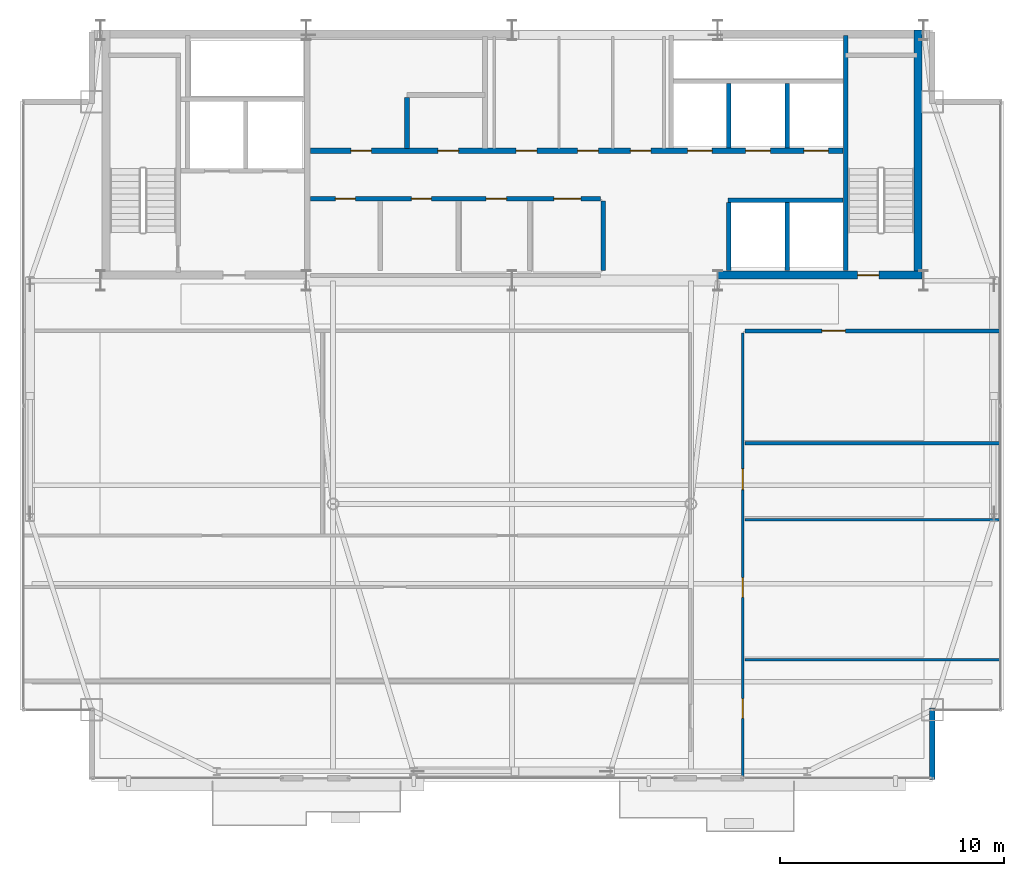
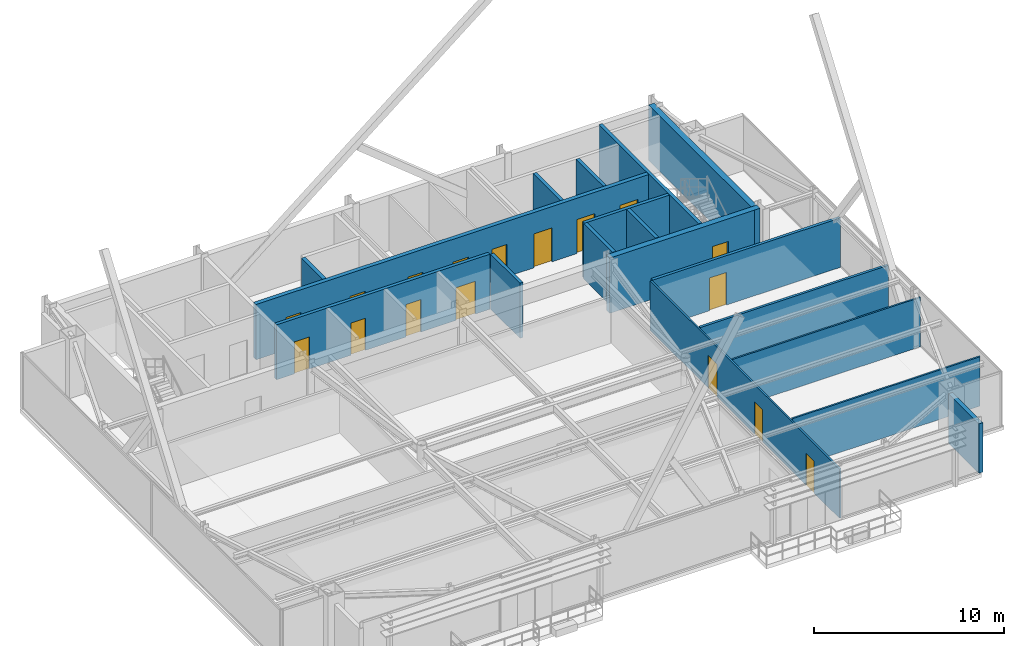
# One storey, part 22 of 25: 18 walls, 17 doors, 17 openings.
"""IFC4 building model written with IfcOpenShell, lengths in metres."""

from ifc_helpers import new_model, si_unit, direction, frame, frame_2d, origin, place, context, subcontext, project, spatial, rectangle, extrude, source, transform, mapped, material, layer, layer_set, type_object, type_shapes, element, fill, save


model = new_model("IFC4")

# Units and contexts
model_context = context("Model", 3, precision=1e-05, world=origin(), true_north=direction((0.0, 1.0)))
body_context = subcontext(model_context, "Body", "Model", "MODEL_VIEW")
ifc_project = project(units=[si_unit("LENGTHUNIT", "METRE"), si_unit("AREAUNIT", "SQUARE_METRE"), si_unit("VOLUMEUNIT", "CUBIC_METRE"), si_unit("PLANEANGLEUNIT", "RADIAN"), si_unit("MASSUNIT", "GRAM", prefix="KILO")], contexts=[model_context])

# Site, building, storey
site_placement = place(None, origin())
site = spatial("IfcSite", under=ifc_project, at=site_placement, CompositionType="ELEMENT")
building_placement = place(site_placement, origin())
building = spatial("IfcBuilding", under=site, at=building_placement, Name="Varnel Quay Broadcast Tower", CompositionType="ELEMENT")
storey_placement = place(building_placement, frame((0.0, 0.0, 273.60009765625)))
storey = spatial("IfcBuildingStorey", under=building, at=storey_placement, Name="L68", CompositionType="ELEMENT", Elevation=273.60009765625)

# Walls
ifc_material_1 = material(Name="Concrete CSA A23.3 C50/60", Category="concrete")
ifc_layer_1 = layer(ifc_material_1, 0.199951171875, Name="Concrete CSA A23.3 C50/60")
ifc_layer_set_1 = layer_set([ifc_layer_1], Name="Concrete CSA A23.3 C50/60")
wall_type_1 = type_object("IfcWallType", Name="Wall_CoreShaftShear200", PredefinedType="SHEAR", material=ifc_layer_set_1)
wall_1_placement = place(storey_placement, frame((48.919921875, 36.050048828125, 0.0), z_axis=(0.0, 0.0, 1.0), x_axis=(0.0, 1.0, 0.0)))
element("IfcWall", 1, at=wall_1_placement, inside=storey, type_object=wall_type_1, Name="L68 Stair 2 West Structural Wall", PredefinedType="SHEAR", context=body_context, shape_type="SweptSolid", body=[
    extrude(rectangle(XDim=10.5, YDim=0.199951171875, at=frame_2d((5.25, 0.0))), origin(), (0.0, 0.0, 1.0), 3.5498046875),
])
for number, where, z_axis, x_axis, name in (
    (2, (43.699951171875, 41.530029296875, 0.0), (0.0, 0.0, 1.0), (0.0, 1.0, 0.0), "L68 High-Rise Lift Shaft Divider 2"),
    (3, (46.300048828125, 41.530029296875, 0.0), (0.0, 0.0, 1.0), (0.0, 1.0, 0.0), "L68 High-Rise Lift Shaft Divider 3"),
):
    element("IfcWall", number, at=place(storey_placement, frame(where, z_axis=z_axis, x_axis=x_axis)), inside=storey, type_object=wall_type_1, Name=name, PredefinedType="SHEAR", context=body_context, shape_type="SweptSolid", body=[
        extrude(rectangle(XDim=2.869873046875, YDim=0.199951171875, at=frame_2d((1.43505859375, 0.0))), origin(), (0.0, 0.0, 1.0), 3.5498046875),
    ])
for number, where, z_axis, x_axis, name in (
    (4, (43.699951171875, 36.050048828125, 0.0), (0.0, 0.0, 1.0), (0.0, 1.0, 0.0), "L68 Express Lift Shaft West Wall"),
    (5, (46.300048828125, 36.050048828125, 0.0), (0.0, 0.0, 1.0), (0.0, 1.0, 0.0), "L68 Express Lift Shaft Divider"),
):
    element("IfcWall", number, at=place(storey_placement, frame(where, z_axis=z_axis, x_axis=x_axis)), inside=storey, type_object=wall_type_1, Name=name, PredefinedType="SHEAR", context=body_context, shape_type="SweptSolid", body=[
        extrude(rectangle(XDim=3.050048828125, YDim=0.199951171875, at=frame_2d((1.52490234375, 0.0))), origin(), (0.0, 0.0, 1.0), 3.5498046875),
    ])
wall_2_placement = place(storey_placement, frame((43.64990234375, 39.199951171875, 0.0), z_axis=(0.0, 0.0, 1.0), x_axis=(1.0, 0.0, 0.0)))
element("IfcWall", 6, at=wall_2_placement, inside=storey, type_object=wall_type_1, Name="L68 Express Lift Shaft North Front Wall", PredefinedType="SHEAR", context=body_context, shape_type="SweptSolid", body=[
    extrude(rectangle(XDim=5.150146484375, YDim=0.199951171875, at=frame_2d((2.5751953125, 0.0))), origin(), (0.0, 0.0, 1.0), 3.5498046875),
])

# Wall, openings, doors
ifc_layer_2 = layer(ifc_material_1, 0.25, Name="Concrete CSA A23.3 C50/60")
ifc_layer_set_2 = layer_set([ifc_layer_2], Name="Concrete CSA A23.3 C50/60")
wall_type_2 = type_object("IfcWallType", Name="Wall_CoreShaftShear250", PredefinedType="SHEAR", material=ifc_layer_set_2)
wall_3_placement = place(storey_placement, frame((24.97998046875, 41.39990234375, 0.0), z_axis=(0.0, 0.0, 1.0), x_axis=(1.0, 0.0, 0.0)))
wall_3 = element("IfcWall", 7, at=wall_3_placement, inside=storey, type_object=wall_type_2, Name="L68 North Lift Bank & Reclaimed Suite Wall", PredefinedType="SHEAR", context=body_context, shape_type="SweptSolid", body=[
    extrude(rectangle(XDim=23.820068359375, YDim=0.25, at=frame_2d((11.91015625, 0.0))), origin(), (0.0, 0.0, 1.0), 3.5498046875),
])
opening_1_placement = place(wall_3_placement, frame((16.8701171875, 0.0, 0.0)))
opening_1 = element("IfcOpeningElement", 8, at=opening_1_placement, cuts=wall_3, Name="Opening LD-L68-PH-01", PredefinedType="OPENING", context=body_context, shape_type="SweptSolid", body=[
    extrude(rectangle(XDim=1.10009765625, YDim=2.179931640625, at=frame_2d((0.550048828125, 1.08984375))), frame((0.0, 0.135009765625, 0.0), z_axis=(0.0, -1.0, 0.0), x_axis=(1.0, 0.0, 0.0)), (0.0, 0.0, 1.0), 0.27001953125),
])
opening_2_placement = place(wall_3_placement, frame((19.469970703125, 0.0, 0.0)))
opening_2 = element("IfcOpeningElement", 9, at=opening_2_placement, cuts=wall_3, Name="Opening LD-L68-PH-02", PredefinedType="OPENING", context=body_context, shape_type="SweptSolid", body=[
    extrude(rectangle(XDim=1.10009765625, YDim=2.179931640625, at=frame_2d((0.550048828125, 1.08984375))), frame((0.0, 0.135009765625, 0.0), z_axis=(0.0, -1.0, 0.0), x_axis=(1.0, 0.0, 0.0)), (0.0, 0.0, 1.0), 0.27001953125),
])
opening_3_placement = place(wall_3_placement, frame((22.070068359375, 0.0, 0.0)))
opening_3 = element("IfcOpeningElement", 10, at=opening_3_placement, cuts=wall_3, Name="Opening LD-L68-PH-03", PredefinedType="OPENING", context=body_context, shape_type="SweptSolid", body=[
    extrude(rectangle(XDim=1.10009765625, YDim=2.179931640625, at=frame_2d((0.550048828125, 1.08984375))), frame((0.0, 0.135009765625, 0.0), z_axis=(0.0, -1.0, 0.0), x_axis=(1.0, 0.0, 0.0)), (0.0, 0.0, 1.0), 0.27001953125),
])
opening_4_placement = place(wall_3_placement, frame((1.81005859375, 0.0, 0.0)))
opening_4 = element("IfcOpeningElement", 11, at=opening_4_placement, cuts=wall_3, Name="Opening D-L68-RECA1", PredefinedType="OPENING", context=body_context, shape_type="SweptSolid", body=[
    extrude(rectangle(XDim=0.919921875, YDim=2.080078125, at=frame_2d((0.4599609375, 1.0400390625))), frame((0.0, 0.135009765625, 0.0), z_axis=(0.0, -1.0, 0.0), x_axis=(1.0, 0.0, 0.0)), (0.0, 0.0, 1.0), 0.27001953125),
])
opening_5_placement = place(wall_3_placement, frame((5.7099609375, 0.0, 0.0)))
opening_5 = element("IfcOpeningElement", 12, at=opening_5_placement, cuts=wall_3, Name="Opening D-L68-RECA2", PredefinedType="OPENING", context=body_context, shape_type="SweptSolid", body=[
    extrude(rectangle(XDim=0.919921875, YDim=2.080078125, at=frame_2d((0.4599609375, 1.0400390625))), frame((0.0, 0.135009765625, 0.0), z_axis=(0.0, -1.0, 0.0), x_axis=(1.0, 0.0, 0.0)), (0.0, 0.0, 1.0), 0.27001953125),
])
opening_6_placement = place(wall_3_placement, frame((9.2099609375, 0.0, 0.0)))
opening_6 = element("IfcOpeningElement", 13, at=opening_6_placement, cuts=wall_3, Name="Opening D-L68-RECB1", PredefinedType="OPENING", context=body_context, shape_type="SweptSolid", body=[
    extrude(rectangle(XDim=0.919921875, YDim=2.080078125, at=frame_2d((0.4599609375, 1.0400390625))), frame((0.0, 0.135009765625, 0.0), z_axis=(0.0, -1.0, 0.0), x_axis=(1.0, 0.0, 0.0)), (0.0, 0.0, 1.0), 0.27001953125),
])
opening_7_placement = place(wall_3_placement, frame((11.9599609375, 0.0, 0.0)))
opening_7 = element("IfcOpeningElement", 14, at=opening_7_placement, cuts=wall_3, Name="Opening D-L68-RECB2", PredefinedType="OPENING", context=body_context, shape_type="SweptSolid", body=[
    extrude(rectangle(XDim=0.919921875, YDim=2.080078125, at=frame_2d((0.4599609375, 1.0400390625))), frame((0.0, 0.135009765625, 0.0), z_axis=(0.0, -1.0, 0.0), x_axis=(1.0, 0.0, 0.0)), (0.0, 0.0, 1.0), 0.27001953125),
])
opening_8_placement = place(wall_3_placement, frame((14.31005859375, 0.0, 0.0)))
opening_8 = element("IfcOpeningElement", 15, at=opening_8_placement, cuts=wall_3, Name="Opening D-L68-RECB3", PredefinedType="OPENING", context=body_context, shape_type="SweptSolid", body=[
    extrude(rectangle(XDim=0.919921875, YDim=2.080078125, at=frame_2d((0.4599609375, 1.0400390625))), frame((0.0, 0.135009765625, 0.0), z_axis=(0.0, -1.0, 0.0), x_axis=(1.0, 0.0, 0.0)), (0.0, 0.0, 1.0), 0.27001953125),
])
ifc_material_2 = material(Name="Brushed Bronze-Stainless Lift Car & Sliding Doors", Category="steel")
door_type_1 = type_object("IfcDoorType", Name="Door_LiftLanding1100", OperationType="SLIDING_TO_LEFT", PredefinedType="DOOR", material=ifc_material_2)
shared_shape_1 = source(origin(), body_context, "Body", "SweptSolid", [
    extrude(rectangle(XDim=1.10009765625, YDim=2.179931640625, at=frame_2d((0.550048828125, 1.08984375))), frame((0.0, 0.02490234375, 0.0), z_axis=(0.0, -1.0, 0.0), x_axis=(1.0, 0.0, 0.0)), (0.0, 0.0, 1.0), 0.050048828125),
])
type_shapes(door_type_1, [shared_shape_1])
door_1_placement = place(opening_1_placement, frame((1.10009765625, 0.0, 0.0), z_axis=(0.0, 0.0, 1.0), x_axis=(-1.0, 0.0, 0.0)))
door_1 = element("IfcDoor", 16, at=door_1_placement, inside=storey, type_object=door_type_1, Name="L68 Lift PH-01 Landing Door", OperationType="SLIDING_TO_LEFT", OverallHeight=2.179931640625, OverallWidth=1.10009765625, PredefinedType="DOOR", context=body_context, shape_type="MappedRepresentation", body=[
    mapped(shared_shape_1, transform((0.0, 0.0, 0.0), x_axis=(1.0, 0.0, 0.0), y_axis=(0.0, 1.0, 0.0), z_axis=(0.0, 0.0, 1.0), scale=1.0)),
])
fill(opening_1, door_1)
door_2_placement = place(opening_2_placement, frame((1.10009765625, 0.0, 0.0), z_axis=(0.0, 0.0, 1.0), x_axis=(-1.0, 0.0, 0.0)))
door_2 = element("IfcDoor", 17, at=door_2_placement, inside=storey, type_object=door_type_1, Name="L68 Lift PH-02 Landing Door", OperationType="SLIDING_TO_LEFT", OverallHeight=2.179931640625, OverallWidth=1.10009765625, PredefinedType="DOOR", context=body_context, shape_type="MappedRepresentation", body=[
    mapped(shared_shape_1, transform((0.0, 0.0, 0.0), x_axis=(1.0, 0.0, 0.0), y_axis=(0.0, 1.0, 0.0), z_axis=(0.0, 0.0, 1.0), scale=1.0)),
])
fill(opening_2, door_2)
door_3_placement = place(opening_3_placement, frame((1.10009765625, 0.0, 0.0), z_axis=(0.0, 0.0, 1.0), x_axis=(-1.0, 0.0, 0.0)))
door_3 = element("IfcDoor", 18, at=door_3_placement, inside=storey, type_object=door_type_1, Name="L68 Lift PH-03 Landing Door", OperationType="SLIDING_TO_LEFT", OverallHeight=2.179931640625, OverallWidth=1.10009765625, PredefinedType="DOOR", context=body_context, shape_type="MappedRepresentation", body=[
    mapped(shared_shape_1, transform((0.0, 0.0, 0.0), x_axis=(1.0, 0.0, 0.0), y_axis=(0.0, 1.0, 0.0), z_axis=(0.0, 0.0, 1.0), scale=1.0)),
])
fill(opening_3, door_3)
ifc_material_3 = material(Name="Solid-Core Fire-Rated Acoustic Oak Veneer Door", Category="wood")
door_type_2 = type_object("IfcDoorType", Name="Door_Office920", OperationType="NOTDEFINED", PredefinedType="DOOR", material=ifc_material_3)
shared_shape_2 = source(origin(), body_context, "Body", "SweptSolid", [
    extrude(rectangle(XDim=0.919921875, YDim=2.080078125, at=frame_2d((0.4599609375, 1.0400390625))), frame((0.0, 0.02490234375, 0.0), z_axis=(0.0, -1.0, 0.0), x_axis=(1.0, 0.0, 0.0)), (0.0, 0.0, 1.0), 0.050048828125),
])
type_shapes(door_type_2, [shared_shape_2])
door_4_placement = place(opening_4_placement, origin())
door_4 = element("IfcDoor", 19, at=door_4_placement, inside=storey, type_object=door_type_2, Name="L68 Signal Routing Suite Door", OperationType="SINGLE_SWING_RIGHT", OverallHeight=2.080078125, OverallWidth=0.919921875, PredefinedType="DOOR", context=body_context, shape_type="MappedRepresentation", body=[
    mapped(shared_shape_2, transform((0.0, 0.0, 0.0), x_axis=(1.0, 0.0, 0.0), y_axis=(0.0, 1.0, 0.0), z_axis=(0.0, 0.0, 1.0), scale=1.0)),
])
fill(opening_4, door_4)
door_5_placement = place(opening_5_placement, origin())
door_5 = element("IfcDoor", 20, at=door_5_placement, inside=storey, type_object=door_type_2, Name="L68 Archive Media Store Door", OperationType="SINGLE_SWING_LEFT", OverallHeight=2.080078125, OverallWidth=0.919921875, PredefinedType="DOOR", context=body_context, shape_type="MappedRepresentation", body=[
    mapped(shared_shape_2, transform((0.0, 0.0, 0.0), x_axis=(1.0, 0.0, 0.0), y_axis=(0.0, 1.0, 0.0), z_axis=(0.0, 0.0, 1.0), scale=1.0)),
])
fill(opening_5, door_5)
door_6_placement = place(opening_6_placement, origin())
door_6 = element("IfcDoor", 21, at=door_6_placement, inside=storey, type_object=door_type_2, Name="L68 Audio Patch Closet Door", OperationType="SINGLE_SWING_RIGHT", OverallHeight=2.080078125, OverallWidth=0.919921875, PredefinedType="DOOR", context=body_context, shape_type="MappedRepresentation", body=[
    mapped(shared_shape_2, transform((0.0, 0.0, 0.0), x_axis=(1.0, 0.0, 0.0), y_axis=(0.0, 1.0, 0.0), z_axis=(0.0, 0.0, 1.0), scale=1.0)),
])
fill(opening_6, door_6)
door_7_placement = place(opening_7_placement, origin())
door_7 = element("IfcDoor", 22, at=door_7_placement, inside=storey, type_object=door_type_2, Name="L68 Bureau Reference Archive Door", OperationType="SINGLE_SWING_LEFT", OverallHeight=2.080078125, OverallWidth=0.919921875, PredefinedType="DOOR", context=body_context, shape_type="MappedRepresentation", body=[
    mapped(shared_shape_2, transform((0.0, 0.0, 0.0), x_axis=(1.0, 0.0, 0.0), y_axis=(0.0, 1.0, 0.0), z_axis=(0.0, 0.0, 1.0), scale=1.0)),
])
fill(opening_7, door_7)
door_8_placement = place(opening_8_placement, origin())
door_8 = element("IfcDoor", 23, at=door_8_placement, inside=storey, type_object=door_type_2, Name="L68 Crew Espresso Niche Door", OperationType="SINGLE_SWING_RIGHT", OverallHeight=2.080078125, OverallWidth=0.919921875, PredefinedType="DOOR", context=body_context, shape_type="MappedRepresentation", body=[
    mapped(shared_shape_2, transform((0.0, 0.0, 0.0), x_axis=(1.0, 0.0, 0.0), y_axis=(0.0, 1.0, 0.0), z_axis=(0.0, 0.0, 1.0), scale=1.0)),
])
fill(opening_8, door_8)

# Wall
ifc_layer_3 = layer(ifc_material_1, 0.35009765625, Name="Concrete CSA A23.3 C50/60")
ifc_layer_set_3 = layer_set([ifc_layer_3], Name="Concrete CSA A23.3 C50/60")
wall_type_3 = type_object("IfcWallType", Name="Wall_CoreShearInt350", PredefinedType="SHEAR", material=ifc_layer_set_3)
wall_4_placement = place(storey_placement, frame((52.155029296875, 35.669921875, 0.0), z_axis=(0.0, 0.0, 1.0), x_axis=(0.0, 1.0, 0.0)))
element("IfcWall", 24, at=wall_4_placement, inside=storey, type_object=wall_type_3, Name="L68 East Core Shear Wall", PredefinedType="SHEAR", context=body_context, shape_type="SweptSolid", body=[
    extrude(rectangle(XDim=11.130126953125, YDim=0.35009765625, at=frame_2d((5.56494140625, 0.0))), origin(), (0.0, 0.0, 1.0), 3.5498046875),
])

# Wall, opening, door
wall_5_placement = place(storey_placement, frame((43.199951171875, 35.844970703125, 0.0), z_axis=(0.0, 0.0, 1.0), x_axis=(1.0, 0.0, 0.0)))
wall_5 = element("IfcWall", 25, at=wall_5_placement, inside=storey, type_object=wall_type_3, Name="L68 South-East Core Shear Wall", PredefinedType="SHEAR", context=body_context, shape_type="SweptSolid", body=[
    extrude(rectangle(XDim=9.130126953125, YDim=0.35009765625, at=frame_2d((4.56494140625, 0.0))), origin(), (0.0, 0.0, 1.0), 3.5498046875),
])
opening_9_placement = place(wall_5_placement, frame((6.25, 0.0, 0.0)))
opening_9 = element("IfcOpeningElement", 26, at=opening_9_placement, cuts=wall_5, Name="Opening D-L68-S2", PredefinedType="OPENING", context=body_context, shape_type="SweptSolid", body=[
    extrude(rectangle(XDim=0.949951171875, YDim=2.10009765625, at=frame_2d((0.47509765625, 1.050048828125))), frame((0.0, 0.18505859375, 0.0), z_axis=(0.0, -1.0, 0.0), x_axis=(1.0, 0.0, 0.0)), (0.0, 0.0, 1.0), 0.3701171875),
])
ifc_material_4 = material(Name="Insulated Fire-Rated Hollow Steel Door", Category="steel")
door_type_3 = type_object("IfcDoorType", Name="Door_FireStair950", OperationType="NOTDEFINED", PredefinedType="DOOR", material=ifc_material_4)
shared_shape_3 = source(origin(), body_context, "Body", "SweptSolid", [
    extrude(rectangle(XDim=0.949951171875, YDim=2.10009765625, at=frame_2d((0.47509765625, 1.050048828125))), frame((0.0, 0.02490234375, 0.0), z_axis=(0.0, -1.0, 0.0), x_axis=(1.0, 0.0, 0.0)), (0.0, 0.0, 1.0), 0.050048828125),
])
type_shapes(door_type_3, [shared_shape_3])
door_9_placement = place(opening_9_placement, origin())
door_9 = element("IfcDoor", 27, at=door_9_placement, inside=storey, type_object=door_type_3, Name="L68 Stair 2 Fire Door", OperationType="SINGLE_SWING_LEFT", OverallHeight=2.10009765625, OverallWidth=0.949951171875, PredefinedType="DOOR", context=body_context, shape_type="MappedRepresentation", body=[
    mapped(shared_shape_3, transform((0.0, 0.0, 0.0), x_axis=(1.0, 0.0, 0.0), y_axis=(0.0, 1.0, 0.0), z_axis=(0.0, 0.0, 1.0), scale=1.0)),
])
fill(opening_9, door_9)

# Wall
ifc_material_5 = material(Name="Precast Architectural Concrete C40/50", Category="concrete")
ifc_layer_4 = layer(ifc_material_5, 0.25, Name="Precast Architectural Concrete C40/50")
ifc_layer_set_4 = layer_set([ifc_layer_4], Name="Precast Architectural Concrete C40/50")
wall_type_4 = type_object("IfcWallType", Name="Wall_ExtTerrace250", PredefinedType="SOLIDWALL", material=ifc_layer_set_4)
wall_6_placement = place(storey_placement, frame((52.800048828125, 13.280029296875, 0.0), z_axis=(0.0, 0.0, 1.0), x_axis=(0.0, 1.0, 0.0)))
element("IfcWall", 28, at=wall_6_placement, inside=storey, type_object=wall_type_4, Name="L68 Mega-Column Notch Cladding Wall NSE2", PredefinedType="SOLIDWALL", context=body_context, shape_type="SweptSolid", body=[
    extrude(rectangle(XDim=3.199951171875, YDim=0.25, at=frame_2d((1.60009765625, 0.0))), origin(), (0.0, 0.0, 1.0), 3.1708984375),
])

# Wall, openings, doors
ifc_material_6 = material(Name="Concrete Blockwork Fire Enclosure C40/50", Category="masonry")
ifc_layer_5 = layer(ifc_material_6, 0.199951171875, Name="Concrete Blockwork Fire Enclosure C40/50")
ifc_layer_set_5 = layer_set([ifc_layer_5], Name="Concrete Blockwork Fire Enclosure C40/50")
wall_type_5 = type_object("IfcWallType", Name="Wall_FireShaft200", PredefinedType="SOLIDWALL", material=ifc_layer_set_5)
wall_7_placement = place(storey_placement, frame((25.0, 39.25, 0.0), z_axis=(0.0, 0.0, 1.0), x_axis=(1.0, 0.0, 0.0)))
wall_7 = element("IfcWall", 29, at=wall_7_placement, inside=storey, type_object=wall_type_5, Name="L68 Accessible Universal Washroom Partition 3", PredefinedType="SOLIDWALL", context=body_context, shape_type="SweptSolid", body=[
    extrude(rectangle(XDim=12.949951171875, YDim=0.199951171875, at=frame_2d((6.47509765625, 0.0))), origin(), (0.0, 0.0, 1.0), 3.52978515625),
])
opening_10_placement = place(wall_7_placement, frame((1.10009765625, 0.0, 0.0)))
opening_10 = element("IfcOpeningElement", 30, at=opening_10_placement, cuts=wall_7, Name="Opening D-L68-01", PredefinedType="OPENING", context=body_context, shape_type="SweptSolid", body=[
    extrude(rectangle(XDim=0.89990234375, YDim=2.06005859375, at=frame_2d((0.449951171875, 1.030029296875))), frame((0.0, 0.10986328125, 0.0), z_axis=(0.0, -1.0, 0.0), x_axis=(1.0, 0.0, 0.0)), (0.0, 0.0, 1.0), 0.219970703125),
])
opening_11_placement = place(wall_7_placement, frame((4.5, 0.0, 0.0)))
opening_11 = element("IfcOpeningElement", 31, at=opening_11_placement, cuts=wall_7, Name="Opening D-L68-02", PredefinedType="OPENING", context=body_context, shape_type="SweptSolid", body=[
    extrude(rectangle(XDim=0.89990234375, YDim=2.06005859375, at=frame_2d((0.449951171875, 1.030029296875))), frame((0.0, 0.10986328125, 0.0), z_axis=(0.0, -1.0, 0.0), x_axis=(1.0, 0.0, 0.0)), (0.0, 0.0, 1.0), 0.219970703125),
])
opening_12_placement = place(wall_7_placement, frame((7.840087890625, 0.0, 0.0)))
opening_12 = element("IfcOpeningElement", 32, at=opening_12_placement, cuts=wall_7, Name="Opening D-L68-03", PredefinedType="OPENING", context=body_context, shape_type="SweptSolid", body=[
    extrude(rectangle(XDim=0.919921875, YDim=2.080078125, at=frame_2d((0.4599609375, 1.0400390625))), frame((0.0, 0.10986328125, 0.0), z_axis=(0.0, -1.0, 0.0), x_axis=(1.0, 0.0, 0.0)), (0.0, 0.0, 1.0), 0.219970703125),
])
opening_13_placement = place(wall_7_placement, frame((10.875, 0.0, 0.0)))
opening_13 = element("IfcOpeningElement", 33, at=opening_13_placement, cuts=wall_7, Name="Opening D-L68-04", PredefinedType="OPENING", context=body_context, shape_type="SweptSolid", body=[
    extrude(rectangle(XDim=1.199951171875, YDim=2.10009765625, at=frame_2d((0.60009765625, 1.050048828125))), frame((0.0, 0.10986328125, 0.0), z_axis=(0.0, -1.0, 0.0), x_axis=(1.0, 0.0, 0.0)), (0.0, 0.0, 1.0), 0.219970703125),
])
door_type_4 = type_object("IfcDoorType", Name="Door_Washroom900", OperationType="NOTDEFINED", PredefinedType="DOOR", material=ifc_material_3)
shared_shape_4 = source(origin(), body_context, "Body", "SweptSolid", [
    extrude(rectangle(XDim=0.89990234375, YDim=2.06005859375, at=frame_2d((0.449951171875, 1.030029296875))), frame((0.0, 0.02490234375, 0.0), z_axis=(0.0, -1.0, 0.0), x_axis=(1.0, 0.0, 0.0)), (0.0, 0.0, 1.0), 0.050048828125),
])
type_shapes(door_type_4, [shared_shape_4])
door_10_placement = place(opening_10_placement, frame((0.89990234375, 0.0, 0.0), z_axis=(0.0, 0.0, 1.0), x_axis=(-1.0, 0.0, 0.0)))
door_10 = element("IfcDoor", 34, at=door_10_placement, inside=storey, type_object=door_type_4, Name="L68 Accessible Universal Washroom Door D-L68-01", OperationType="SINGLE_SWING_LEFT", OverallHeight=2.06005859375, OverallWidth=0.89990234375, PredefinedType="DOOR", context=body_context, shape_type="MappedRepresentation", body=[
    mapped(shared_shape_4, transform((0.0, 0.0, 0.0), x_axis=(1.0, 0.0, 0.0), y_axis=(0.0, 1.0, 0.0), z_axis=(0.0, 0.0, 1.0), scale=1.0)),
])
fill(opening_10, door_10)
door_11_placement = place(opening_11_placement, frame((0.89990234375, 0.0, 0.0), z_axis=(0.0, 0.0, 1.0), x_axis=(-1.0, 0.0, 0.0)))
door_11 = element("IfcDoor", 35, at=door_11_placement, inside=storey, type_object=door_type_4, Name="L68 Staff Washroom Block Door D-L68-02", OperationType="SINGLE_SWING_RIGHT", OverallHeight=2.06005859375, OverallWidth=0.89990234375, PredefinedType="DOOR", context=body_context, shape_type="MappedRepresentation", body=[
    mapped(shared_shape_4, transform((0.0, 0.0, 0.0), x_axis=(1.0, 0.0, 0.0), y_axis=(0.0, 1.0, 0.0), z_axis=(0.0, 0.0, 1.0), scale=1.0)),
])
fill(opening_11, door_11)
door_type_5 = type_object("IfcDoorType", Name="Door_Plant1200", OperationType="NOTDEFINED", PredefinedType="DOOR", material=ifc_material_4)
shared_shape_5 = source(origin(), body_context, "Body", "SweptSolid", [
    extrude(rectangle(XDim=1.199951171875, YDim=2.10009765625, at=frame_2d((0.60009765625, 1.050048828125))), frame((0.0, 0.02490234375, 0.0), z_axis=(0.0, -1.0, 0.0), x_axis=(1.0, 0.0, 0.0)), (0.0, 0.0, 1.0), 0.050048828125),
])
type_shapes(door_type_5, [shared_shape_5])
door_12_placement = place(opening_13_placement, origin())
door_12 = element("IfcDoor", 36, at=door_12_placement, inside=storey, type_object=door_type_5, Name="L68 Zone Lighting Dimmer Room Door D-L68-04", OperationType="SINGLE_SWING_RIGHT", OverallHeight=2.10009765625, OverallWidth=1.199951171875, PredefinedType="DOOR", context=body_context, shape_type="MappedRepresentation", body=[
    mapped(shared_shape_5, transform((0.0, 0.0, 0.0), x_axis=(1.0, 0.0, 0.0), y_axis=(0.0, 1.0, 0.0), z_axis=(0.0, 0.0, 1.0), scale=1.0)),
])
fill(opening_13, door_12)
door_13_placement = place(opening_12_placement, frame((0.919921875, 0.0, 0.0), z_axis=(0.0, 0.0, 1.0), x_axis=(-1.0, 0.0, 0.0)))
door_13 = element("IfcDoor", 37, at=door_13_placement, inside=storey, type_object=door_type_2, Name="L68 Broadcast First-Aid & Quiet Room Door D-L68-03", OperationType="SINGLE_SWING_LEFT", OverallHeight=2.080078125, OverallWidth=0.919921875, PredefinedType="DOOR", context=body_context, shape_type="MappedRepresentation", body=[
    mapped(shared_shape_2, transform((0.0, 0.0, 0.0), x_axis=(1.0, 0.0, 0.0), y_axis=(0.0, 1.0, 0.0), z_axis=(0.0, 0.0, 1.0), scale=1.0)),
])
fill(opening_12, door_13)

# Walls
wall_8_placement = place(storey_placement, frame((38.074951171875, 36.050048828125, 0.0), z_axis=(0.0, 0.0, 1.0), x_axis=(0.0, 1.0, 0.0)))
element("IfcWall", 38, at=wall_8_placement, inside=storey, type_object=wall_type_5, Name="L68 Zone Lighting Dimmer Room Partition 6", PredefinedType="SOLIDWALL", context=body_context, shape_type="SweptSolid", body=[
    extrude(rectangle(XDim=3.099853515625, YDim=0.199951171875, at=frame_2d((1.5498046875, 0.0))), origin(), (0.0, 0.0, 1.0), 3.52978515625),
])
ifc_material_7 = material(Name="Steel-Stud Fire-Rated Acoustic Gypsum Partition Assembly", Category="steel")
ifc_layer_6 = layer(ifc_material_7, 0.10498046875, Name="Steel-Stud Fire-Rated Acoustic Gypsum Partition Assembly")
ifc_layer_set_6 = layer_set([ifc_layer_6], Name="Steel-Stud Fire-Rated Acoustic Gypsum Partition Assembly")
wall_type_6 = type_object("IfcWallType", Name="Wall_Partition105", PredefinedType="PARTITIONING", material=ifc_layer_set_6)
wall_9_placement = place(storey_placement, frame((44.419921875, 18.639892578125, 0.0), z_axis=(0.0, 0.0, 1.0), x_axis=(1.0, 0.0, 0.0)))
element("IfcWall", 39, at=wall_9_placement, inside=storey, type_object=wall_type_6, Name="L68 Lens & Rigging Store 5 Partition 14", PredefinedType="PARTITIONING", context=body_context, shape_type="SweptSolid", body=[
    extrude(rectangle(XDim=11.400146484375, YDim=0.10498046875, at=frame_2d((5.7001953125, 0.0))), origin(), (0.0, 0.0, 1.0), 3.1708984375),
])

# Wall, openings, doors
wall_10_placement = place(storey_placement, frame((44.320068359375, 13.3798828125, 0.0), z_axis=(0.0, 0.0, 1.0), x_axis=(0.0, 1.0, 0.0)))
wall_10 = element("IfcWall", 40, at=wall_10_placement, inside=storey, type_object=wall_type_6, Name="L68 Lens & Rigging Store 5 Partition 15", PredefinedType="PARTITIONING", context=body_context, shape_type="SweptSolid", body=[
    extrude(rectangle(XDim=19.883056640625, YDim=0.10498046875, at=frame_2d((9.94140625, 0.0))), origin(), (0.0, 0.0, 1.0), 3.1708984375),
])
opening_14_placement = place(wall_10_placement, frame((2.64501953125, 0.0, 0.0)))
opening_14 = element("IfcOpeningElement", 41, at=opening_14_placement, cuts=wall_10, Name="Opening D-L68-09", PredefinedType="OPENING", context=body_context, shape_type="SweptSolid", body=[
    extrude(rectangle(XDim=0.8798828125, YDim=2.06005859375, at=frame_2d((0.43994140625, 1.030029296875))), frame((0.0, 0.0625, 0.0), z_axis=(0.0, -1.0, 0.0), x_axis=(1.0, 0.0, 0.0)), (0.0, 0.0, 1.0), 0.125),
])
opening_15_placement = place(wall_10_placement, frame((8.054931640625, 0.0, 0.0)))
opening_15 = element("IfcOpeningElement", 42, at=opening_15_placement, cuts=wall_10, Name="Opening D-L68-10", PredefinedType="OPENING", context=body_context, shape_type="SweptSolid", body=[
    extrude(rectangle(XDim=0.8798828125, YDim=2.06005859375, at=frame_2d((0.43994140625, 1.030029296875))), frame((0.0, 0.0625, 0.0), z_axis=(0.0, -1.0, 0.0), x_axis=(1.0, 0.0, 0.0)), (0.0, 0.0, 1.0), 0.125),
])
opening_16_placement = place(wall_10_placement, frame((12.875, 0.0, 0.0)))
opening_16 = element("IfcOpeningElement", 43, at=opening_16_placement, cuts=wall_10, Name="Opening D-L68-11", PredefinedType="OPENING", context=body_context, shape_type="SweptSolid", body=[
    extrude(rectangle(XDim=0.919921875, YDim=2.080078125, at=frame_2d((0.4599609375, 1.0400390625))), frame((0.0, 0.0625, 0.0), z_axis=(0.0, -1.0, 0.0), x_axis=(1.0, 0.0, 0.0)), (0.0, 0.0, 1.0), 0.125),
])
door_type_6 = type_object("IfcDoorType", Name="Door_Booth880", OperationType="NOTDEFINED", PredefinedType="DOOR", material=ifc_material_3)
shared_shape_6 = source(origin(), body_context, "Body", "SweptSolid", [
    extrude(rectangle(XDim=0.8798828125, YDim=2.06005859375, at=frame_2d((0.43994140625, 1.030029296875))), frame((0.0, 0.02490234375, 0.0), z_axis=(0.0, -1.0, 0.0), x_axis=(1.0, 0.0, 0.0)), (0.0, 0.0, 1.0), 0.050048828125),
])
type_shapes(door_type_6, [shared_shape_6])
door_14_placement = place(opening_14_placement, frame((0.8798828125, 0.0, 0.0), z_axis=(0.0, 0.0, 1.0), x_axis=(-1.0, 0.0, 0.0)))
door_14 = element("IfcDoor", 44, at=door_14_placement, inside=storey, type_object=door_type_6, Name="L68 Lens & Rigging Store 5 Door D-L68-09", OperationType="SINGLE_SWING_LEFT", OverallHeight=2.06005859375, OverallWidth=0.8798828125, PredefinedType="DOOR", context=body_context, shape_type="MappedRepresentation", body=[
    mapped(shared_shape_6, transform((0.0, 0.0, 0.0), x_axis=(1.0, 0.0, 0.0), y_axis=(0.0, 1.0, 0.0), z_axis=(0.0, 0.0, 1.0), scale=1.0)),
])
fill(opening_14, door_14)
door_15_placement = place(opening_15_placement, frame((0.8798828125, 0.0, 0.0), z_axis=(0.0, 0.0, 1.0), x_axis=(-1.0, 0.0, 0.0)))
door_15 = element("IfcDoor", 45, at=door_15_placement, inside=storey, type_object=door_type_6, Name="L68 Ingest Vault Store 6 Door D-L68-10", OperationType="SINGLE_SWING_RIGHT", OverallHeight=2.06005859375, OverallWidth=0.8798828125, PredefinedType="DOOR", context=body_context, shape_type="MappedRepresentation", body=[
    mapped(shared_shape_6, transform((0.0, 0.0, 0.0), x_axis=(1.0, 0.0, 0.0), y_axis=(0.0, 1.0, 0.0), z_axis=(0.0, 0.0, 1.0), scale=1.0)),
])
fill(opening_15, door_15)
door_16_placement = place(opening_16_placement, frame((0.919921875, 0.0, 0.0), z_axis=(0.0, 0.0, 1.0), x_axis=(-1.0, 0.0, 0.0)))
door_16 = element("IfcDoor", 46, at=door_16_placement, inside=storey, type_object=door_type_2, Name="L68 Color Timing Suite 7 Door D-L68-11", OperationType="SINGLE_SWING_LEFT", OverallHeight=2.080078125, OverallWidth=0.919921875, PredefinedType="DOOR", context=body_context, shape_type="MappedRepresentation", body=[
    mapped(shared_shape_2, transform((0.0, 0.0, 0.0), x_axis=(1.0, 0.0, 0.0), y_axis=(0.0, 1.0, 0.0), z_axis=(0.0, 0.0, 1.0), scale=1.0)),
])
fill(opening_16, door_16)

# Walls
wall_11_placement = place(storey_placement, frame((44.419921875, 24.909912109375, 0.0), z_axis=(0.0, 0.0, 1.0), x_axis=(1.0, 0.0, 0.0)))
element("IfcWall", 47, at=wall_11_placement, inside=storey, type_object=wall_type_6, Name="L68 Ingest Vault Store 6 Partition 16", PredefinedType="PARTITIONING", context=body_context, shape_type="SweptSolid", body=[
    extrude(rectangle(XDim=11.400146484375, YDim=0.10498046875, at=frame_2d((5.7001953125, 0.0))), origin(), (0.0, 0.0, 1.0), 3.1708984375),
])
ifc_layer_7 = layer(ifc_material_7, 0.14990234375, Name="Steel-Stud Fire-Rated Acoustic Gypsum Partition Assembly")
ifc_layer_set_7 = layer_set([ifc_layer_7], Name="Steel-Stud Fire-Rated Acoustic Gypsum Partition Assembly")
wall_type_7 = type_object("IfcWallType", Name="Wall_Partition150", PredefinedType="PARTITIONING", material=ifc_layer_set_7)
wall_12_placement = place(storey_placement, frame((44.419921875, 28.320068359375, 0.0), z_axis=(0.0, 0.0, 1.0), x_axis=(1.0, 0.0, 0.0)))
element("IfcWall", 48, at=wall_12_placement, inside=storey, type_object=wall_type_7, Name="L68 Color Timing Suite 7 Partition 17", PredefinedType="PARTITIONING", context=body_context, shape_type="SweptSolid", body=[
    extrude(rectangle(XDim=11.400146484375, YDim=0.14990234375, at=frame_2d((5.7001953125, 0.0))), origin(), (0.0, 0.0, 1.0), 3.1708984375),
])

# Wall, opening, door
ifc_layer_8 = layer(ifc_material_7, 0.175048828125, Name="Steel-Stud Fire-Rated Acoustic Gypsum Partition Assembly")
ifc_layer_set_8 = layer_set([ifc_layer_8], Name="Steel-Stud Fire-Rated Acoustic Gypsum Partition Assembly")
wall_type_8 = type_object("IfcWallType", Name="Wall_Partition175", PredefinedType="PARTITIONING", material=ifc_layer_set_8)
wall_13_placement = place(storey_placement, frame((44.419921875, 33.35009765625, 0.0), z_axis=(0.0, 0.0, 1.0), x_axis=(1.0, 0.0, 0.0)))
wall_13 = element("IfcWall", 49, at=wall_13_placement, inside=storey, type_object=wall_type_8, Name="L68 Screening Meeting Room 8 Partition 18", PredefinedType="PARTITIONING", context=body_context, shape_type="SweptSolid", body=[
    extrude(rectangle(XDim=11.400146484375, YDim=0.175048828125, at=frame_2d((5.7001953125, 0.0))), origin(), (0.0, 0.0, 1.0), 3.1708984375),
])
opening_17_placement = place(wall_13_placement, frame((3.43994140625, 0.0, 0.0)))
opening_17 = element("IfcOpeningElement", 50, at=opening_17_placement, cuts=wall_13, Name="Opening D-L68-12", PredefinedType="OPENING", context=body_context, shape_type="SweptSolid", body=[
    extrude(rectangle(XDim=1.050048828125, YDim=2.10009765625, at=frame_2d((0.52490234375, 1.050048828125))), frame((0.0, 0.09765625, 0.0), z_axis=(0.0, -1.0, 0.0), x_axis=(1.0, 0.0, 0.0)), (0.0, 0.0, 1.0), 0.195068359375),
])
door_type_7 = type_object("IfcDoorType", Name="Door_Meeting1050", OperationType="NOTDEFINED", PredefinedType="DOOR", material=ifc_material_3)
shared_shape_7 = source(origin(), body_context, "Body", "SweptSolid", [
    extrude(rectangle(XDim=1.050048828125, YDim=2.10009765625, at=frame_2d((0.52490234375, 1.050048828125))), frame((0.0, 0.02490234375, 0.0), z_axis=(0.0, -1.0, 0.0), x_axis=(1.0, 0.0, 0.0)), (0.0, 0.0, 1.0), 0.050048828125),
])
type_shapes(door_type_7, [shared_shape_7])
door_17_placement = place(opening_17_placement, frame((1.050048828125, 0.0, 0.0), z_axis=(0.0, 0.0, 1.0), x_axis=(-1.0, 0.0, 0.0)))
door_17 = element("IfcDoor", 51, at=door_17_placement, inside=storey, type_object=door_type_7, Name="L68 Screening Meeting Room 8 Door D-L68-12", OperationType="SINGLE_SWING_RIGHT", OverallHeight=2.10009765625, OverallWidth=1.050048828125, PredefinedType="DOOR", context=body_context, shape_type="MappedRepresentation", body=[
    mapped(shared_shape_7, transform((0.0, 0.0, 0.0), x_axis=(1.0, 0.0, 0.0), y_axis=(0.0, 1.0, 0.0), z_axis=(0.0, 0.0, 1.0), scale=1.0)),
])
fill(opening_17, door_17)

# Wall
ifc_layer_9 = layer(ifc_material_7, 0.22509765625, Name="Steel-Stud Fire-Rated Acoustic Gypsum Partition Assembly")
ifc_layer_set_9 = layer_set([ifc_layer_9], Name="Steel-Stud Fire-Rated Acoustic Gypsum Partition Assembly")
wall_type_9 = type_object("IfcWallType", Name="Wall_Partition225", PredefinedType="PARTITIONING", material=ifc_layer_set_9)
wall_14_placement = place(storey_placement, frame((29.300048828125, 41.5, 0.0), z_axis=(0.0, 0.0, 1.0), x_axis=(0.0, 1.0, 0.0)))
element("IfcWall", 52, at=wall_14_placement, inside=storey, type_object=wall_type_9, Name="L68 Signal Routing Suite Partition 19", PredefinedType="PARTITIONING", context=body_context, shape_type="SweptSolid", body=[
    extrude(rectangle(XDim=2.2880859375, YDim=0.22509765625, at=frame_2d((1.14404296875, 0.0))), origin(), (0.0, 0.0, 1.0), 3.52978515625),
])

save(model, "model.ifc")
